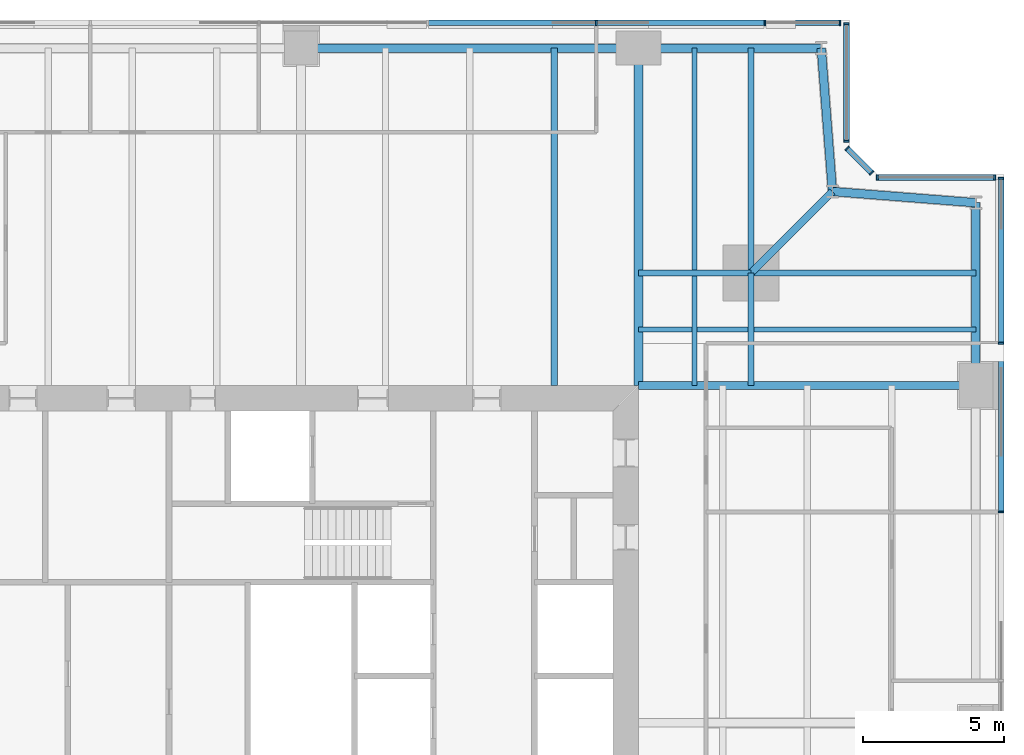
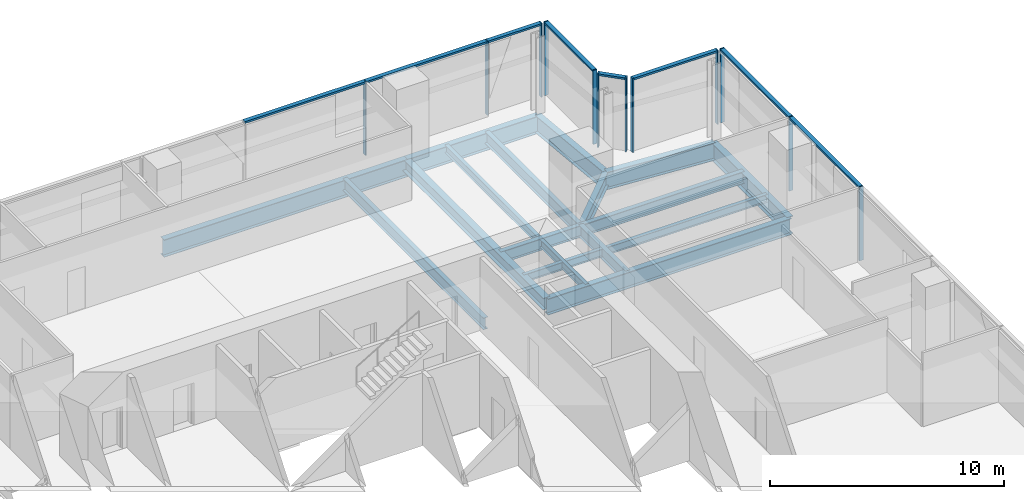
# One storey, part 7 of 14: 20 members, 18 beams, 5 elements without a shape of their own.
"""IFC4 building model written with IfcOpenShell, lengths in metres."""

from ifc_helpers import new_model, si_unit, direction, frame, origin, origin_2d, place, context, subcontext, project, spatial, rectangle, i_section, extrude, material, material_profile, profile_set, type_object, element, aggregate, save


model = new_model("IFC4")

# Units and contexts
model_context = context("Model", 3, precision=1e-05, world=origin(), true_north=direction((0.0, 1.0)))
body_context = subcontext(model_context, "Body", "Model", "MODEL_VIEW")
ifc_project = project(units=[si_unit("LENGTHUNIT", "METRE"), si_unit("AREAUNIT", "SQUARE_METRE"), si_unit("VOLUMEUNIT", "CUBIC_METRE"), si_unit("PLANEANGLEUNIT", "RADIAN"), si_unit("MASSUNIT", "GRAM", prefix="KILO")], contexts=[model_context])

# Site, building, storey
site_placement = place(None, origin())
site = spatial("IfcSite", under=ifc_project, at=site_placement, CompositionType="ELEMENT")
building_placement = place(site_placement, origin())
building = spatial("IfcBuilding", under=site, at=building_placement, Name="Fenwick Lantern Interchange", CompositionType="ELEMENT")
storey_placement = place(building_placement, frame((0.0, 0.0, 173.800048828125)))
storey = spatial("IfcBuildingStorey", under=building, at=storey_placement, Name="L40", CompositionType="ELEMENT", Elevation=173.800048828125)

# Beams
ifc_material_1 = material(Name="Steel ASTM A992 Grade 50", Category="steel")
ifc_material_profile_1 = material_profile(ifc_material_1, i_section(OverallWidth=0.3046875, OverallDepth=0.911865234375, WebThickness=0.015869140625, FlangeThickness=0.02392578125, at=origin_2d()), Name="W36X150")
ifc_profile_set_1 = profile_set([ifc_material_profile_1], Name="Steel ASTM A992 Grade 50")
beam_type_1 = type_object("IfcBeamType", Name="EDGE BEAM W36X150", PredefinedType="SPANDREL", material=ifc_profile_set_1)
beam_1_placement = place(storey_placement, frame((49.0, 37.0, -0.60595703125), z_axis=(0.0, 1.0, 0.0), x_axis=(-1.0, 0.0, 0.0)))
element("IfcBeam", 1, at=beam_1_placement, inside=storey, type_object=beam_type_1, Name="L40/FR/E/EB4", PredefinedType="SPANDREL", context=body_context, shape_type="SweptSolid", body=[
    extrude(i_section(OverallWidth=0.3046875, OverallDepth=0.911865234375, WebThickness=0.015869140625, FlangeThickness=0.02392578125, at=origin_2d()), origin(), (0.0, 0.0, 1.0), 6.5),
])
for number, where, z_axis, x_axis, name in (
    (2, (49.0, 43.5, -0.60595703125), (-0.99693998236, 0.078170784639, 0.0), (-0.078170784639, -0.99693998236, 0.0), "L40/FR/E/EBR1"),
    (3, (43.89990234375, 43.89990234375, -0.60595703125), (-0.078170784639, 0.99693998236, 0.0), (-0.99693998236, -0.078170784639, 0.0), "L40/FR/E/EBR2"),
):
    element("IfcBeam", number, at=place(storey_placement, frame(where, z_axis=z_axis, x_axis=x_axis)), inside=storey, type_object=beam_type_1, Name=name, PredefinedType="SPANDREL", context=body_context, shape_type="SweptSolid", body=[
        extrude(i_section(OverallWidth=0.3046875, OverallDepth=0.911865234375, WebThickness=0.015869140625, FlangeThickness=0.02392578125, at=origin_2d()), origin(), (0.0, 0.0, 1.0), 5.11572265625),
    ])
beam_2_placement = place(storey_placement, frame((43.5, 49.0, -0.60595703125), z_axis=(-1.0, 0.0, 0.0), x_axis=(0.0, -1.0, 0.0)))
element("IfcBeam", 4, at=beam_2_placement, inside=storey, type_object=beam_type_1, Name="L40/FR/N/EB1", PredefinedType="SPANDREL", context=body_context, shape_type="SweptSolid", body=[
    extrude(i_section(OverallWidth=0.3046875, OverallDepth=0.911865234375, WebThickness=0.015869140625, FlangeThickness=0.02392578125, at=origin_2d()), origin(), (0.0, 0.0, 1.0), 6.5),
])
beam_3_placement = place(storey_placement, frame((37.0, 49.0, -0.60595703125), z_axis=(-1.0, 0.0, 0.0), x_axis=(0.0, -1.0, 0.0)))
element("IfcBeam", 5, at=beam_3_placement, inside=storey, type_object=beam_type_1, Name="L40/FR/N/EB2", PredefinedType="SPANDREL", context=body_context, shape_type="SweptSolid", body=[
    extrude(i_section(OverallWidth=0.3046875, OverallDepth=0.911865234375, WebThickness=0.015869140625, FlangeThickness=0.02392578125, at=origin_2d()), origin(), (0.0, 0.0, 1.0), 12.0),
])
ifc_material_profile_2 = material_profile(ifc_material_1, i_section(OverallWidth=0.22900390625, OverallDepth=0.612060546875, WebThickness=0.011962890625, FlangeThickness=0.01953125, at=origin_2d()), Name="W24X84")
ifc_profile_set_2 = profile_set([ifc_material_profile_2], Name="Steel ASTM A992 Grade 50")
beam_type_2 = type_object("IfcBeamType", Name="FLOOR BEAM W24X84", PredefinedType="BEAM", material=ifc_profile_set_2)
beam_4_placement = place(storey_placement, frame((34.0, 49.0, -0.4560546875), z_axis=(0.0, -1.0, 0.0), x_axis=(1.0, 0.0, 0.0)))
element("IfcBeam", 6, at=beam_4_placement, inside=storey, type_object=beam_type_2, Name="L40/FR/N/R02", PredefinedType="BEAM", context=body_context, shape_type="SweptSolid", body=[
    extrude(i_section(OverallWidth=0.22900390625, OverallDepth=0.612060546875, WebThickness=0.011962890625, FlangeThickness=0.01953125, at=origin_2d()), origin(), (0.0, 0.0, 1.0), 12.0),
])
ifc_material_profile_3 = material_profile(ifc_material_1, i_section(OverallWidth=0.177734375, OverallDepth=0.406494140625, WebThickness=0.0078125, FlangeThickness=0.012939453125, at=origin_2d()), Name="W16X40")
ifc_profile_set_3 = profile_set([ifc_material_profile_3], Name="Steel ASTM A992 Grade 50")
beam_type_3 = type_object("IfcBeamType", Name="INFILL BEAM W16X40", PredefinedType="JOIST", material=ifc_profile_set_3)
beam_5_placement = place(storey_placement, frame((39.0, 49.0, -0.353271484375), z_axis=(0.0, -1.0, 0.0), x_axis=(1.0, 0.0, 0.0)))
element("IfcBeam", 7, at=beam_5_placement, inside=storey, type_object=beam_type_3, Name="L40/FR/N/J1", PredefinedType="JOIST", context=body_context, shape_type="SweptSolid", body=[
    extrude(i_section(OverallWidth=0.177734375, OverallDepth=0.406494140625, WebThickness=0.0078125, FlangeThickness=0.012939453125, at=origin_2d()), origin(), (0.0, 0.0, 1.0), 7.885498046875),
])
beam_6_placement = place(storey_placement, frame((39.0, 40.885498046875, -0.353271484375), z_axis=(0.0, -1.0, 0.0), x_axis=(1.0, 0.0, 0.0)))
element("IfcBeam", 8, at=beam_6_placement, inside=storey, type_object=beam_type_3, Name="L40/FR/N/J2", PredefinedType="JOIST", context=body_context, shape_type="SweptSolid", body=[
    extrude(i_section(OverallWidth=0.177734375, OverallDepth=0.406494140625, WebThickness=0.0078125, FlangeThickness=0.012939453125, at=origin_2d()), origin(), (0.0, 0.0, 1.0), 3.885498046875),
])
beam_7_placement = place(storey_placement, frame((49.0, 39.0, -0.353271484375), z_axis=(-1.0, 0.0, 0.0), x_axis=(0.0, -1.0, 0.0)))
element("IfcBeam", 9, at=beam_7_placement, inside=storey, type_object=beam_type_3, Name="L40/FR/N/J3", PredefinedType="JOIST", context=body_context, shape_type="SweptSolid", body=[
    extrude(i_section(OverallWidth=0.177734375, OverallDepth=0.406494140625, WebThickness=0.0078125, FlangeThickness=0.012939453125, at=origin_2d()), origin(), (0.0, 0.0, 1.0), 7.885498046875),
])
beam_8_placement = place(storey_placement, frame((40.885498046875, 39.0, -0.353271484375), z_axis=(-1.0, 0.0, 0.0), x_axis=(0.0, -1.0, 0.0)))
element("IfcBeam", 10, at=beam_8_placement, inside=storey, type_object=beam_type_3, Name="L40/FR/N/J4", PredefinedType="JOIST", context=body_context, shape_type="SweptSolid", body=[
    extrude(i_section(OverallWidth=0.177734375, OverallDepth=0.406494140625, WebThickness=0.0078125, FlangeThickness=0.012939453125, at=origin_2d()), origin(), (0.0, 0.0, 1.0), 1.796630859375),
])
beam_9_placement = place(storey_placement, frame((38.9111328125, 39.0, -0.353271484375), z_axis=(-1.0, 0.0, 0.0), x_axis=(0.0, -1.0, 0.0)))
element("IfcBeam", 11, at=beam_9_placement, inside=storey, type_object=beam_type_3, Name="L40/FR/N/J5", PredefinedType="JOIST", context=body_context, shape_type="SweptSolid", body=[
    extrude(i_section(OverallWidth=0.177734375, OverallDepth=0.406494140625, WebThickness=0.0078125, FlangeThickness=0.012939453125, at=origin_2d()), origin(), (0.0, 0.0, 1.0), 1.9111328125),
])
ifc_material_profile_4 = material_profile(ifc_material_1, i_section(OverallWidth=0.22900390625, OverallDepth=0.612060546875, WebThickness=0.011962890625, FlangeThickness=0.01953125, at=origin_2d()), Name="W24X84")
ifc_profile_set_4 = profile_set([ifc_material_profile_4], Name="Steel ASTM A992 Grade 50")
beam_type_4 = type_object("IfcBeamType", Name="MEGA COLUMN BEAM W24X84", PredefinedType="BEAM", material=ifc_profile_set_4)
for number, where, z_axis, x_axis, name in (
    (12, (41.0, 41.0, -0.4560546875), (0.0, 1.0, 0.0), (-1.0, 0.0, 0.0), "L40/FR/N/MB1"),
    (13, (41.0, 41.0, -0.4560546875), (1.0, 0.0, 0.0), (0.0, 1.0, 0.0), "L40/FR/N/MB2"),
):
    element("IfcBeam", number, at=place(storey_placement, frame(where, z_axis=z_axis, x_axis=x_axis)), inside=storey, type_object=beam_type_4, Name=name, PredefinedType="BEAM", context=body_context, shape_type="SweptSolid", body=[
        extrude(i_section(OverallWidth=0.22900390625, OverallDepth=0.612060546875, WebThickness=0.011962890625, FlangeThickness=0.01953125, at=origin_2d()), origin(), (0.0, 0.0, 1.0), 8.0),
    ])
for number, where, z_axis, x_axis, name in (
    (14, (41.0, 41.0, -0.4560546875), (-1.0, 0.0, 0.0), (0.0, -1.0, 0.0), "L40/FR/N/MB3"),
    (15, (41.0, 41.0, -0.4560546875), (0.0, -1.0, 0.0), (1.0, 0.0, 0.0), "L40/FR/N/MB4"),
):
    element("IfcBeam", number, at=place(storey_placement, frame(where, z_axis=z_axis, x_axis=x_axis)), inside=storey, type_object=beam_type_4, Name=name, PredefinedType="BEAM", context=body_context, shape_type="SweptSolid", body=[
        extrude(i_section(OverallWidth=0.22900390625, OverallDepth=0.612060546875, WebThickness=0.011962890625, FlangeThickness=0.01953125, at=origin_2d()), origin(), (0.0, 0.0, 1.0), 4.0),
    ])
ifc_material_profile_5 = material_profile(ifc_material_1, i_section(OverallWidth=0.32763671875, OverallDepth=0.622314453125, WebThickness=0.015380859375, FlangeThickness=0.0244140625, at=origin_2d()), Name="W24X131")
ifc_profile_set_5 = profile_set([ifc_material_profile_5], Name="Steel ASTM A992 Grade 50")
beam_type_5 = type_object("IfcBeamType", Name="MOMENT-CONNECTED GIRDER W24X131", PredefinedType="BEAM", material=ifc_profile_set_5)
beam_10_placement = place(storey_placement, frame((37.0, 49.0, -0.461181640625), z_axis=(0.0, -1.0, 0.0), x_axis=(1.0, 0.0, 0.0)))
element("IfcBeam", 16, at=beam_10_placement, inside=storey, type_object=beam_type_5, Name="L40/FR/N/R01", PredefinedType="BEAM", context=body_context, shape_type="SweptSolid", body=[
    extrude(i_section(OverallWidth=0.32763671875, OverallDepth=0.622314453125, WebThickness=0.015380859375, FlangeThickness=0.0244140625, at=origin_2d()), origin(), (0.0, 0.0, 1.0), 12.0),
])
ifc_material_profile_6 = material_profile(ifc_material_1, i_section(OverallWidth=0.2919921875, OverallDepth=0.845703125, WebThickness=0.015380859375, FlangeThickness=0.0244140625, at=origin_2d()), Name="W33X141")
ifc_profile_set_6 = profile_set([ifc_material_profile_6], Name="Steel ASTM A992 Grade 50")
beam_type_6 = type_object("IfcBeamType", Name="MOMENT-CONNECTED GIRDER W33X141", PredefinedType="BEAM", material=ifc_profile_set_6)
beam_11_placement = place(storey_placement, frame((49.0, 37.0, -0.572998046875), z_axis=(-1.0, 0.0, 0.0), x_axis=(0.0, -1.0, 0.0)))
element("IfcBeam", 17, at=beam_11_placement, inside=storey, type_object=beam_type_6, Name="L40/FR/E/R03", PredefinedType="BEAM", context=body_context, shape_type="SweptSolid", body=[
    extrude(i_section(OverallWidth=0.2919921875, OverallDepth=0.845703125, WebThickness=0.015380859375, FlangeThickness=0.0244140625, at=origin_2d()), origin(), (0.0, 0.0, 1.0), 12.0),
])
ifc_material_profile_7 = material_profile(ifc_material_1, i_section(OverallWidth=0.2666015625, OverallDepth=0.7568359375, WebThickness=0.013916015625, FlangeThickness=0.019287109375, at=origin_2d()), Name="W30X108")
ifc_profile_set_7 = profile_set([ifc_material_profile_7], Name="Steel ASTM A992 Grade 50")
beam_type_7 = type_object("IfcBeamType", Name="NOTCH BEAM W30X108", PredefinedType="BEAM", material=ifc_profile_set_7)
beam_12_placement = place(storey_placement, frame((41.0, 41.0, -0.528564453125), z_axis=(0.707106781187, 0.707106781187, 0.0), x_axis=(-0.707106781187, 0.707106781187, 0.0)))
element("IfcBeam", 18, at=beam_12_placement, inside=storey, type_object=beam_type_7, Name="L40/FR/N/TG", PredefinedType="BEAM", context=body_context, shape_type="SweptSolid", body=[
    extrude(i_section(OverallWidth=0.2666015625, OverallDepth=0.7568359375, WebThickness=0.013916015625, FlangeThickness=0.019287109375, at=origin_2d()), origin(), (0.0, 0.0, 1.0), 4.10107421875),
])

# Curtain wall, members
ifc_material_2 = material(Name="Aluminium curtain wall frame", Category="aluminium")
curtain_wall_type = type_object("IfcCurtainWallType", Name="OFFICE CURTAIN WALL", PredefinedType="USERDEFINED", material=ifc_material_2)
curtain_wall_1_placement = place(storey_placement, origin())
curtain_wall_1 = element("IfcCurtainWall", 19, at=curtain_wall_1_placement, inside=storey, type_object=curtain_wall_type, Name="Office curtain wall 05", ObjectType="OFFICE CURTAIN WALL", PredefinedType="USERDEFINED")
ifc_material_3 = material(Name="Aluminium extrusion", Category="aluminium")
ifc_material_profile_8 = material_profile(ifc_material_3, rectangle(XDim=0.199951171875, YDim=0.06494140625, at=origin_2d()), Name="OFFICE CURTAIN WALL MULLION 65 X 200")
ifc_profile_set_8 = profile_set([ifc_material_profile_8], Name="Aluminium extrusion")
member_type_1 = type_object("IfcMemberType", Name="OFFICE CURTAIN WALL MULLION 65 X 200", PredefinedType="MULLION", material=ifc_profile_set_8)
member_1_placement = place(storey_placement, frame((49.89990234375, 32.5, 0.0), z_axis=(0.0, 0.0, 1.0), x_axis=(-1.0, 0.0, 0.0)))
member_1 = element("IfcMember", 20, at=member_1_placement, type_object=member_type_1, Name="L40/CW/05/M05", PredefinedType="MULLION", context=body_context, shape_type="SweptSolid", body=[
    extrude(rectangle(XDim=0.199951171875, YDim=0.06494140625, at=origin_2d()), origin(), (0.0, 0.0, 1.0), 3.849853515625),
])
member_2_placement = place(storey_placement, frame((49.89990234375, 38.5, 0.0), z_axis=(0.0, 0.0, 1.0), x_axis=(-1.0, 0.0, 0.0)))
member_2 = element("IfcMember", 21, at=member_2_placement, type_object=member_type_1, Name="L40/CW/05/M06", PredefinedType="MULLION", context=body_context, shape_type="SweptSolid", body=[
    extrude(rectangle(XDim=0.199951171875, YDim=0.06494140625, at=origin_2d()), origin(), (0.0, 0.0, 1.0), 3.849853515625),
])
member_3_placement = place(storey_placement, frame((49.89990234375, 44.367431640625, 0.0), z_axis=(0.0, 0.0, 1.0), x_axis=(-1.0, 0.0, 0.0)))
member_3 = element("IfcMember", 22, at=member_3_placement, type_object=member_type_1, Name="L40/CW/05/M07", PredefinedType="MULLION", context=body_context, shape_type="SweptSolid", body=[
    extrude(rectangle(XDim=0.199951171875, YDim=0.06494140625, at=origin_2d()), origin(), (0.0, 0.0, 1.0), 3.849853515625),
])

curtain_wall_2_placement = place(storey_placement, origin())
curtain_wall_2 = element("IfcCurtainWall", 23, at=curtain_wall_2_placement, inside=storey, type_object=curtain_wall_type, Name="Office curtain wall 06", ObjectType="OFFICE CURTAIN WALL", PredefinedType="USERDEFINED")
member_4_placement = place(storey_placement, frame((49.66748046875, 44.39990234375, 0.0), z_axis=(0.0, 0.0, 1.0), x_axis=(0.0, -1.0, 0.0)))
member_4 = element("IfcMember", 24, at=member_4_placement, type_object=member_type_1, Name="L40/CW/06/M00", PredefinedType="MULLION", context=body_context, shape_type="SweptSolid", body=[
    extrude(rectangle(XDim=0.199951171875, YDim=0.06494140625, at=origin_2d()), origin(), (0.0, 0.0, 1.0), 3.849853515625),
])
member_5_placement = place(storey_placement, frame((45.490966796875, 44.39990234375, 0.0), z_axis=(0.0, 0.0, 1.0), x_axis=(0.0, -1.0, 0.0)))
member_5 = element("IfcMember", 25, at=member_5_placement, type_object=member_type_1, Name="L40/CW/06/M01", PredefinedType="MULLION", context=body_context, shape_type="SweptSolid", body=[
    extrude(rectangle(XDim=0.199951171875, YDim=0.06494140625, at=origin_2d()), origin(), (0.0, 0.0, 1.0), 3.849853515625),
])

curtain_wall_3_placement = place(storey_placement, origin())
curtain_wall_3 = element("IfcCurtainWall", 26, at=curtain_wall_3_placement, inside=storey, type_object=curtain_wall_type, Name="Office curtain wall 07", ObjectType="OFFICE CURTAIN WALL", PredefinedType="USERDEFINED")
member_6_placement = place(storey_placement, frame((45.294189453125, 44.564453125, 0.0), z_axis=(0.0, 0.0, 1.0), x_axis=(-0.707106781187, -0.707106781187, 0.0)))
member_6 = element("IfcMember", 27, at=member_6_placement, type_object=member_type_1, Name="L40/CW/07/M00", PredefinedType="MULLION", context=body_context, shape_type="SweptSolid", body=[
    extrude(rectangle(XDim=0.199951171875, YDim=0.06494140625, at=origin_2d()), origin(), (0.0, 0.0, 1.0), 3.849853515625),
])
member_7_placement = place(storey_placement, frame((44.423095703125, 45.435546875, 0.0), z_axis=(0.0, 0.0, 1.0), x_axis=(-0.707106781187, -0.707106781187, 0.0)))
member_7 = element("IfcMember", 28, at=member_7_placement, type_object=member_type_1, Name="L40/CW/07/M01", PredefinedType="MULLION", context=body_context, shape_type="SweptSolid", body=[
    extrude(rectangle(XDim=0.199951171875, YDim=0.06494140625, at=origin_2d()), origin(), (0.0, 0.0, 1.0), 3.849853515625),
])

curtain_wall_4_placement = place(storey_placement, origin())
curtain_wall_4 = element("IfcCurtainWall", 29, at=curtain_wall_4_placement, inside=storey, type_object=curtain_wall_type, Name="Office curtain wall 08", ObjectType="OFFICE CURTAIN WALL", PredefinedType="USERDEFINED")
member_8_placement = place(storey_placement, frame((44.39990234375, 45.691162109375, 0.0), z_axis=(0.0, 0.0, 1.0), x_axis=(-1.0, 0.0, 0.0)))
member_8 = element("IfcMember", 30, at=member_8_placement, type_object=member_type_1, Name="L40/CW/08/M00", PredefinedType="MULLION", context=body_context, shape_type="SweptSolid", body=[
    extrude(rectangle(XDim=0.199951171875, YDim=0.06494140625, at=origin_2d()), origin(), (0.0, 0.0, 1.0), 3.849853515625),
])
member_9_placement = place(storey_placement, frame((44.39990234375, 49.867431640625, 0.0), z_axis=(0.0, 0.0, 1.0), x_axis=(-1.0, 0.0, 0.0)))
member_9 = element("IfcMember", 31, at=member_9_placement, type_object=member_type_1, Name="L40/CW/08/M01", PredefinedType="MULLION", context=body_context, shape_type="SweptSolid", body=[
    extrude(rectangle(XDim=0.199951171875, YDim=0.06494140625, at=origin_2d()), origin(), (0.0, 0.0, 1.0), 3.849853515625),
])

curtain_wall_5_placement = place(storey_placement, origin())
curtain_wall_5 = element("IfcCurtainWall", 32, at=curtain_wall_5_placement, inside=storey, type_object=curtain_wall_type, Name="Office curtain wall 09", ObjectType="OFFICE CURTAIN WALL", PredefinedType="USERDEFINED")
member_10_placement = place(storey_placement, frame((44.16748046875, 49.89990234375, 0.0), z_axis=(0.0, 0.0, 1.0), x_axis=(0.0, -1.0, 0.0)))
member_10 = element("IfcMember", 33, at=member_10_placement, type_object=member_type_1, Name="L40/CW/09/M00", PredefinedType="MULLION", context=body_context, shape_type="SweptSolid", body=[
    extrude(rectangle(XDim=0.199951171875, YDim=0.06494140625, at=origin_2d()), origin(), (0.0, 0.0, 1.0), 3.849853515625),
])
member_11_placement = place(storey_placement, frame((41.5, 49.89990234375, 0.0), z_axis=(0.0, 0.0, 1.0), x_axis=(0.0, -1.0, 0.0)))
member_11 = element("IfcMember", 34, at=member_11_placement, type_object=member_type_1, Name="L40/CW/09/M01", PredefinedType="MULLION", context=body_context, shape_type="SweptSolid", body=[
    extrude(rectangle(XDim=0.199951171875, YDim=0.06494140625, at=origin_2d()), origin(), (0.0, 0.0, 1.0), 3.849853515625),
])
member_12_placement = place(storey_placement, frame((35.5, 49.89990234375, 0.0), z_axis=(0.0, 0.0, 1.0), x_axis=(0.0, -1.0, 0.0)))
member_12 = element("IfcMember", 35, at=member_12_placement, type_object=member_type_1, Name="L40/CW/09/M02", PredefinedType="MULLION", context=body_context, shape_type="SweptSolid", body=[
    extrude(rectangle(XDim=0.199951171875, YDim=0.06494140625, at=origin_2d()), origin(), (0.0, 0.0, 1.0), 3.849853515625),
])

# Member
ifc_material_profile_9 = material_profile(ifc_material_3, rectangle(XDim=0.199951171875, YDim=0.10009765625, at=origin_2d()), Name="OFFICE CURTAIN WALL TRANSOM 100 X 200")
ifc_profile_set_9 = profile_set([ifc_material_profile_9], Name="Aluminium extrusion")
member_type_2 = type_object("IfcMemberType", Name="OFFICE CURTAIN WALL TRANSOM 100 X 200", PredefinedType="MULLION", material=ifc_profile_set_9)
member_13_placement = place(storey_placement, frame((49.89990234375, 32.532470703125, 3.800048828125), z_axis=(0.0, 1.0, 0.0), x_axis=(-1.0, 0.0, 0.0)))
member_13 = element("IfcMember", 36, at=member_13_placement, type_object=member_type_2, Name="L40/CW/05/T05", PredefinedType="MULLION", context=body_context, shape_type="SweptSolid", body=[
    extrude(rectangle(XDim=0.199951171875, YDim=0.10009765625, at=origin_2d()), origin(), (0.0, 0.0, 1.0), 5.93505859375),
])

member_14_placement = place(storey_placement, frame((49.89990234375, 38.532470703125, 3.800048828125), z_axis=(0.0, 1.0, 0.0), x_axis=(-1.0, 0.0, 0.0)))
member_14 = element("IfcMember", 37, at=member_14_placement, type_object=member_type_2, Name="L40/CW/05/T06", PredefinedType="MULLION", context=body_context, shape_type="SweptSolid", body=[
    extrude(rectangle(XDim=0.199951171875, YDim=0.10009765625, at=origin_2d()), origin(), (0.0, 0.0, 1.0), 5.802490234375),
])

aggregate(curtain_wall_1, [member_1, member_2, member_3, member_13, member_14])

member_15_placement = place(storey_placement, frame((49.635009765625, 44.39990234375, 3.800048828125), z_axis=(-1.0, 0.0, 0.0), x_axis=(0.0, -1.0, 0.0)))
member_15 = element("IfcMember", 38, at=member_15_placement, type_object=member_type_2, Name="L40/CW/06/T00", PredefinedType="MULLION", context=body_context, shape_type="SweptSolid", body=[
    extrude(rectangle(XDim=0.199951171875, YDim=0.10009765625, at=origin_2d()), origin(), (0.0, 0.0, 1.0), 4.111328125),
])

aggregate(curtain_wall_2, [member_4, member_5, member_15])

member_16_placement = place(storey_placement, frame((45.271240234375, 44.58740234375, 3.800048828125), z_axis=(-0.707106781187, 0.707106781187, 0.0), x_axis=(-0.707106781187, -0.707106781187, 0.0)))
member_16 = element("IfcMember", 39, at=member_16_placement, type_object=member_type_2, Name="L40/CW/07/T00", PredefinedType="MULLION", context=body_context, shape_type="SweptSolid", body=[
    extrude(rectangle(XDim=0.199951171875, YDim=0.10009765625, at=origin_2d()), origin(), (0.0, 0.0, 1.0), 1.1669921875),
])

aggregate(curtain_wall_3, [member_6, member_7, member_16])

member_17_placement = place(storey_placement, frame((44.39990234375, 45.7236328125, 3.800048828125), z_axis=(0.0, 1.0, 0.0), x_axis=(-1.0, 0.0, 0.0)))
member_17 = element("IfcMember", 40, at=member_17_placement, type_object=member_type_2, Name="L40/CW/08/T00", PredefinedType="MULLION", context=body_context, shape_type="SweptSolid", body=[
    extrude(rectangle(XDim=0.199951171875, YDim=0.10009765625, at=origin_2d()), origin(), (0.0, 0.0, 1.0), 4.111328125),
])

aggregate(curtain_wall_4, [member_8, member_9, member_17])

member_18_placement = place(storey_placement, frame((44.135009765625, 49.89990234375, 3.800048828125), z_axis=(-1.0, 0.0, 0.0), x_axis=(0.0, -1.0, 0.0)))
member_18 = element("IfcMember", 41, at=member_18_placement, type_object=member_type_2, Name="L40/CW/09/T00", PredefinedType="MULLION", context=body_context, shape_type="SweptSolid", body=[
    extrude(rectangle(XDim=0.199951171875, YDim=0.10009765625, at=origin_2d()), origin(), (0.0, 0.0, 1.0), 2.6025390625),
])

member_19_placement = place(storey_placement, frame((41.467529296875, 49.89990234375, 3.800048828125), z_axis=(-1.0, 0.0, 0.0), x_axis=(0.0, -1.0, 0.0)))
member_19 = element("IfcMember", 42, at=member_19_placement, type_object=member_type_2, Name="L40/CW/09/T01", PredefinedType="MULLION", context=body_context, shape_type="SweptSolid", body=[
    extrude(rectangle(XDim=0.199951171875, YDim=0.10009765625, at=origin_2d()), origin(), (0.0, 0.0, 1.0), 5.93505859375),
])

member_20_placement = place(storey_placement, frame((35.467529296875, 49.89990234375, 3.800048828125), z_axis=(-1.0, 0.0, 0.0), x_axis=(0.0, -1.0, 0.0)))
member_20 = element("IfcMember", 43, at=member_20_placement, type_object=member_type_2, Name="L40/CW/09/T02", PredefinedType="MULLION", context=body_context, shape_type="SweptSolid", body=[
    extrude(rectangle(XDim=0.199951171875, YDim=0.10009765625, at=origin_2d()), origin(), (0.0, 0.0, 1.0), 5.93505859375),
])

aggregate(curtain_wall_5, [member_10, member_11, member_12, member_18, member_19, member_20])

save(model, "model.ifc")
